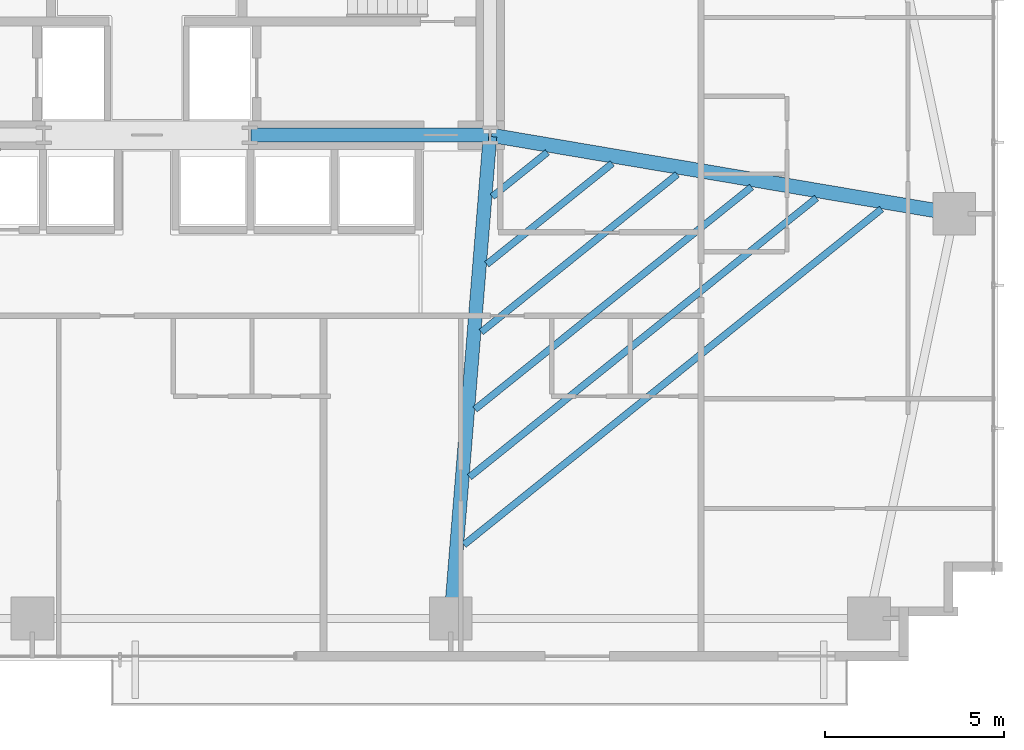
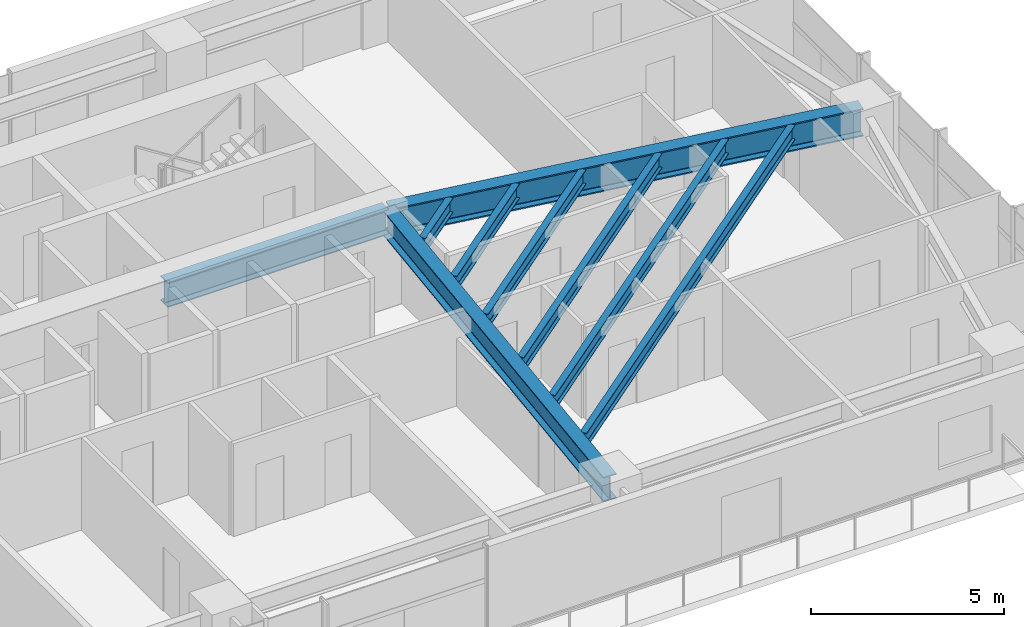
# One storey, part 13 of 25: 9 beams.
"""IFC4 building model written with IfcOpenShell, lengths in metres."""

from ifc_helpers import new_model, si_unit, direction, frame, origin, origin_2d, place, context, subcontext, project, spatial, i_section, extrude, source, transform, mapped, material, material_profile, profile_set, type_object, type_shapes, element, save


model = new_model("IFC4")

# Units and contexts
model_context = context("Model", 3, precision=1e-05, world=origin(), true_north=direction((0.0, 1.0)))
body_context = subcontext(model_context, "Body", "Model", "MODEL_VIEW")
ifc_project = project(units=[si_unit("LENGTHUNIT", "METRE"), si_unit("AREAUNIT", "SQUARE_METRE"), si_unit("VOLUMEUNIT", "CUBIC_METRE"), si_unit("PLANEANGLEUNIT", "RADIAN"), si_unit("MASSUNIT", "GRAM", prefix="KILO")], contexts=[model_context])

# Site, building, storey
site_placement = place(None, origin())
site = spatial("IfcSite", under=ifc_project, at=site_placement, CompositionType="ELEMENT")
building_placement = place(site_placement, origin())
building = spatial("IfcBuilding", under=site, at=building_placement, Name="Astriad Promenade Condominiums", CompositionType="ELEMENT")
storey_placement = place(building_placement, frame((0.0, 0.0, 55.0)))
storey = spatial("IfcBuildingStorey", under=building, at=storey_placement, Name="L15", CompositionType="ELEMENT", Elevation=55.0)

# Beams
ifc_material = material(Name="Steel ASTM A992 Grade 50", Category="steel")
ifc_material_profile_1 = material_profile(ifc_material, i_section(OverallWidth=0.3837890625, OverallDepth=0.785888671875, WebThickness=0.019775390625, FlangeThickness=0.033447265625, FilletRadius=0.021484375, at=origin_2d()), Name="W30X211")
ifc_profile_set_1 = profile_set([ifc_material_profile_1], Name="Steel ASTM A992 Grade 50")
beam_type_1 = type_object("IfcBeamType", Name="STEEL FLOOR GIRDER W30X211", PredefinedType="BEAM", material=ifc_profile_set_1)
shared_shape_1 = source(origin(), body_context, "Body", "SweptSolid", [
    extrude(i_section(OverallWidth=0.3837890625, OverallDepth=0.785888671875, WebThickness=0.019775390625, FlangeThickness=0.033447265625, FilletRadius=0.021484375, at=origin_2d()), origin(), (0.0, 0.0, 1.0), 6.64013671875),
])
beam_1_placement = place(storey_placement, frame((38.919921875, 17.39990234375, 2.547119140625), z_axis=(1.0, 0.0, 0.0), x_axis=(0.0, 1.0, 0.0)))
element("IfcBeam", 1, at=beam_1_placement, inside=storey, type_object=beam_type_1, Name="Core Ring Beam CG-S3-L15", PredefinedType="BEAM", context=body_context, shape_type="MappedRepresentation", body=[
    mapped(shared_shape_1, transform((0.0, 0.0, 0.0), scale=1.0)),
])
shared_shape_2 = source(origin(), body_context, "Body", "SweptSolid", [
    extrude(i_section(OverallWidth=0.3837890625, OverallDepth=0.785888671875, WebThickness=0.019775390625, FlangeThickness=0.033447265625, FilletRadius=0.021484375, at=origin_2d()), origin(), (0.0, 0.0, 1.0), 13.484619140625),
])
type_shapes(beam_type_1, [shared_shape_1, shared_shape_2])
beam_2_placement = place(storey_placement, frame((44.503173828125, 3.919921875, 2.547119140625), z_axis=(0.081092961134, 0.996706542396, 0.0), x_axis=(-0.996706542396, 0.081092961134, 0.0)))
element("IfcBeam", 2, at=beam_2_placement, inside=storey, type_object=beam_type_1, Name="Primary Floor Girder PG-E2-L15", PredefinedType="BEAM", context=body_context, shape_type="MappedRepresentation", body=[
    mapped(shared_shape_2, transform((0.0, 0.0, 0.0), scale=1.0)),
])
ifc_material_profile_2 = material_profile(ifc_material, i_section(OverallWidth=0.4013671875, OverallDepth=0.877197265625, WebThickness=0.022216796875, FlangeThickness=0.039794921875, FilletRadius=0.02294921875, at=origin_2d()), Name="W33X263")
ifc_profile_set_2 = profile_set([ifc_material_profile_2], Name="Steel ASTM A992 Grade 50")
beam_type_2 = type_object("IfcBeamType", Name="STEEL PRIMARY GIRDER W33X263", PredefinedType="BEAM", material=ifc_profile_set_2)
shared_shape_3 = source(origin(), body_context, "Body", "SweptSolid", [
    extrude(i_section(OverallWidth=0.4013671875, OverallDepth=0.877197265625, WebThickness=0.022216796875, FlangeThickness=0.039794921875, FilletRadius=0.02294921875, at=origin_2d()), origin(), (0.0, 0.0, 1.0), 13.085205078125),
])
type_shapes(beam_type_2, [shared_shape_3])
beam_3_placement = place(storey_placement, frame((58.54052734375, 15.206787109375, 2.50146484375), z_axis=(-0.985939912267, 0.167100237577, 0.0), x_axis=(-0.167100237577, -0.985939912267, 0.0)))
element("IfcBeam", 3, at=beam_3_placement, inside=storey, type_object=beam_type_2, Name="Primary Floor Girder PG-EM-L15", PredefinedType="BEAM", context=body_context, shape_type="MappedRepresentation", body=[
    mapped(shared_shape_3, transform((0.0, 0.0, 0.0), scale=1.0)),
])
ifc_material_profile_3 = material_profile(ifc_material, i_section(OverallWidth=0.19287109375, OverallDepth=0.466064453125, WebThickness=0.011474609375, FlangeThickness=0.01904296875, FilletRadius=0.01513671875, at=origin_2d()), Name="W18X65")
ifc_profile_set_3 = profile_set([ifc_material_profile_3], Name="Steel ASTM A992 Grade 50")
beam_type_3 = type_object("IfcBeamType", Name="STEEL FLOOR JOIST W18X65", PredefinedType="JOIST", material=ifc_profile_set_3)
shared_shape_4 = source(origin(), body_context, "Body", "SweptSolid", [
    extrude(i_section(OverallWidth=0.19287109375, OverallDepth=0.466064453125, WebThickness=0.011474609375, FlangeThickness=0.01904296875, FilletRadius=0.01513671875, at=origin_2d()), origin(), (0.0, 0.0, 1.0), 14.984375),
])
beam_4_placement = place(storey_placement, frame((44.867919921875, 5.944580078125, 2.706787109375), z_axis=(0.77934368876, 0.626596692291, 0.0), x_axis=(-0.626596692291, 0.77934368876, 0.0)))
element("IfcBeam", 4, at=beam_4_placement, inside=storey, type_object=beam_type_3, Name="Secondary Composite Floor Joist JE1-1-L15", PredefinedType="JOIST", context=body_context, shape_type="MappedRepresentation", body=[
    mapped(shared_shape_4, transform((0.0, 0.0, 0.0), scale=1.0)),
])
shared_shape_5 = source(origin(), body_context, "Body", "SweptSolid", [
    extrude(i_section(OverallWidth=0.19287109375, OverallDepth=0.466064453125, WebThickness=0.011474609375, FlangeThickness=0.01904296875, FilletRadius=0.01513671875, at=origin_2d()), origin(), (0.0, 0.0, 1.0), 12.455078125),
])
beam_5_placement = place(storey_placement, frame((45.021728515625, 7.83740234375, 2.706787109375), z_axis=(0.77935577594, 0.626581658292, 0.0), x_axis=(-0.626581658292, 0.77935577594, 0.0)))
element("IfcBeam", 5, at=beam_5_placement, inside=storey, type_object=beam_type_3, Name="Secondary Composite Floor Joist JE1-2-L15", PredefinedType="JOIST", context=body_context, shape_type="MappedRepresentation", body=[
    mapped(shared_shape_5, transform((0.0, 0.0, 0.0), scale=1.0)),
])
shared_shape_6 = source(origin(), body_context, "Body", "SweptSolid", [
    extrude(i_section(OverallWidth=0.19287109375, OverallDepth=0.466064453125, WebThickness=0.011474609375, FlangeThickness=0.01904296875, FilletRadius=0.01513671875, at=origin_2d()), origin(), (0.0, 0.0, 1.0), 9.926025390625),
])
beam_6_placement = place(storey_placement, frame((45.17578125, 9.730224609375, 2.706787109375), z_axis=(0.779352355084, 0.626585913203, 0.0), x_axis=(-0.626585913203, 0.779352355084, 0.0)))
element("IfcBeam", 6, at=beam_6_placement, inside=storey, type_object=beam_type_3, Name="Secondary Composite Floor Joist JE1-3-L15", PredefinedType="JOIST", context=body_context, shape_type="MappedRepresentation", body=[
    mapped(shared_shape_6, transform((0.0, 0.0, 0.0), scale=1.0)),
])
shared_shape_7 = source(origin(), body_context, "Body", "SweptSolid", [
    extrude(i_section(OverallWidth=0.19287109375, OverallDepth=0.466064453125, WebThickness=0.011474609375, FlangeThickness=0.01904296875, FilletRadius=0.01513671875, at=origin_2d()), origin(), (0.0, 0.0, 1.0), 7.03515625),
])
beam_7_placement = place(storey_placement, frame((45.351806640625, 11.8935546875, 2.706787109375), z_axis=(0.779349752639, 0.626589150131, 0.0), x_axis=(-0.626589150131, 0.779349752639, 0.0)))
element("IfcBeam", 7, at=beam_7_placement, inside=storey, type_object=beam_type_3, Name="Secondary Composite Floor Joist JE1-4-L15", PredefinedType="JOIST", context=body_context, shape_type="MappedRepresentation", body=[
    mapped(shared_shape_7, transform((0.0, 0.0, 0.0), scale=1.0)),
])
shared_shape_8 = source(origin(), body_context, "Body", "SweptSolid", [
    extrude(i_section(OverallWidth=0.19287109375, OverallDepth=0.466064453125, WebThickness=0.011474609375, FlangeThickness=0.01904296875, FilletRadius=0.01513671875, at=origin_2d()), origin(), (0.0, 0.0, 1.0), 4.505859375),
])
beam_8_placement = place(storey_placement, frame((45.505859375, 13.786376953125, 2.706787109375), z_axis=(0.779365294733, 0.626569818429, 0.0), x_axis=(-0.626569818429, 0.779365294733, 0.0)))
element("IfcBeam", 8, at=beam_8_placement, inside=storey, type_object=beam_type_3, Name="Secondary Composite Floor Joist JE1-5-L15", PredefinedType="JOIST", context=body_context, shape_type="MappedRepresentation", body=[
    mapped(shared_shape_8, transform((0.0, 0.0, 0.0), scale=1.0)),
])
shared_shape_9 = source(origin(), body_context, "Body", "SweptSolid", [
    extrude(i_section(OverallWidth=0.19287109375, OverallDepth=0.466064453125, WebThickness=0.011474609375, FlangeThickness=0.01904296875, FilletRadius=0.01513671875, at=origin_2d()), origin(), (0.0, 0.0, 1.0), 1.9765625),
])
type_shapes(beam_type_3, [shared_shape_4, shared_shape_5, shared_shape_6, shared_shape_7, shared_shape_8, shared_shape_9])
beam_9_placement = place(storey_placement, frame((45.659912109375, 15.67919921875, 2.706787109375), z_axis=(0.77936029648, 0.626576035506, 0.0), x_axis=(-0.626576035506, 0.77936029648, 0.0)))
element("IfcBeam", 9, at=beam_9_placement, inside=storey, type_object=beam_type_3, Name="Secondary Composite Floor Joist JE1-6-L15", PredefinedType="JOIST", context=body_context, shape_type="MappedRepresentation", body=[
    mapped(shared_shape_9, transform((0.0, 0.0, 0.0), scale=1.0)),
])

save(model, "model.ifc")
